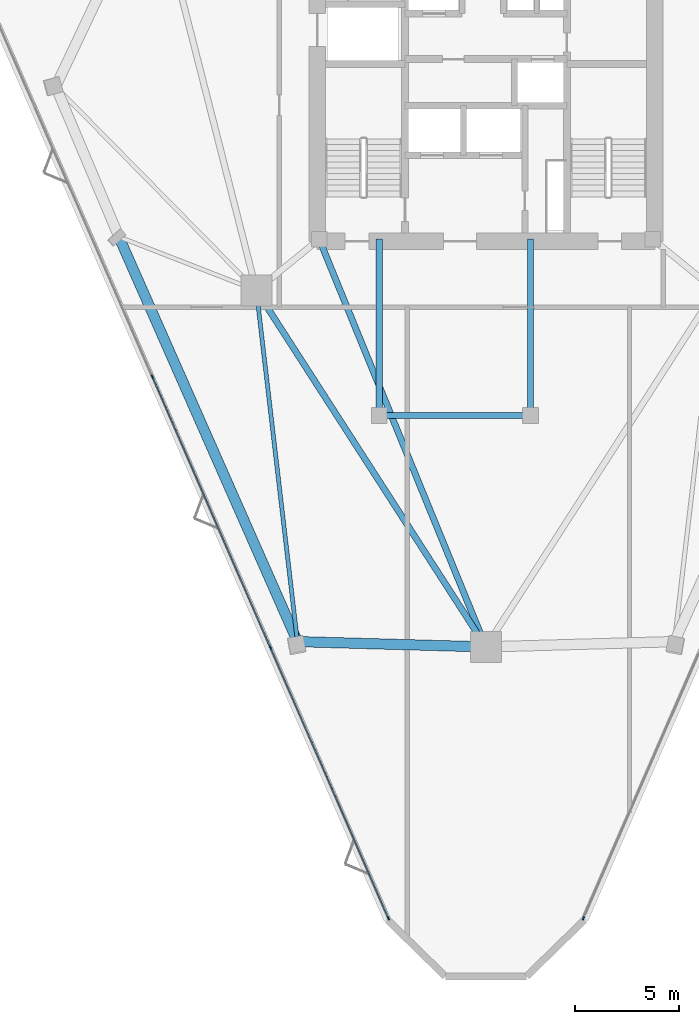
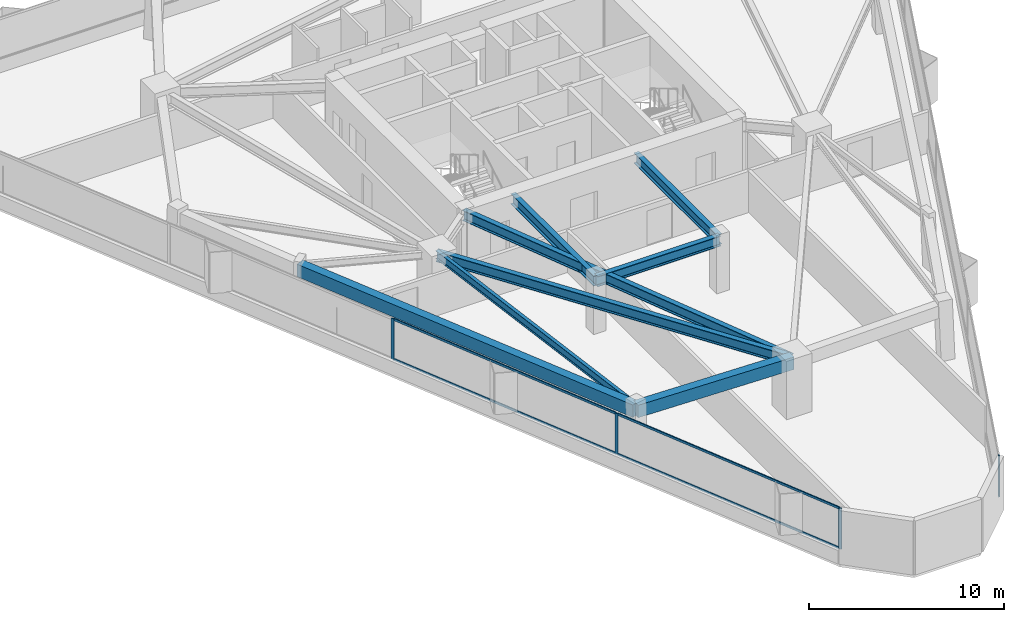
# One storey, part 2 of 11: 8 beams, 8 members, 2 elements without a shape of their own.
"""IFC4 building model written with IfcOpenShell, lengths in metres."""

from ifc_helpers import new_model, si_unit, direction, frame, origin, origin_2d, place, context, subcontext, project, spatial, rectangle, i_section, extrude, material, layer, layer_set, material_profile, profile_set, type_object, element, aggregate, save


model = new_model("IFC4")

# Units and contexts
model_context = context("Model", 3, precision=1e-05, world=origin(), true_north=direction((0.0, 1.0)))
body_context = subcontext(model_context, "Body", "Model", "MODEL_VIEW")
ifc_project = project(units=[si_unit("LENGTHUNIT", "METRE"), si_unit("AREAUNIT", "SQUARE_METRE"), si_unit("VOLUMEUNIT", "CUBIC_METRE"), si_unit("PLANEANGLEUNIT", "RADIAN"), si_unit("MASSUNIT", "GRAM", prefix="KILO")], contexts=[model_context])

# Site, building, storey
site_placement = place(None, origin())
site = spatial("IfcSite", under=ifc_project, at=site_placement, CompositionType="ELEMENT")
building_placement = place(site_placement, origin())
building = spatial("IfcBuilding", under=site, at=building_placement, Name="Talyreon Biosciences Tower", CompositionType="ELEMENT")
storey_placement = place(building_placement, frame((0.0, 0.0, 163.699951171875)))
storey = spatial("IfcBuildingStorey", under=building, at=storey_placement, Name="L43", CompositionType="ELEMENT", Elevation=163.699951171875)

# Curtain wall, members
ifc_material_1 = material(Name="Thermally broken aluminium and low-E glazing", Category="aluminium")
ifc_layer = layer(ifc_material_1, 0.18505859375)
ifc_layer_set = layer_set([ifc_layer], Name="Thermally broken aluminium and low-E glazing")
curtain_wall_type = type_object("IfcCurtainWallType", Name="CurtainWall_Zone3Bioprocess", PredefinedType="NOTDEFINED", material=ifc_layer_set)
curtain_wall_1_placement = place(storey_placement, origin())
curtain_wall_1 = element("IfcCurtainWall", 1, at=curtain_wall_1_placement, inside=storey, type_object=curtain_wall_type, Name="L43 Unitised Curtain Wall FCW-L43-00", PredefinedType="NOTDEFINED")
ifc_material_2 = material(Name="Anodised thermally broken aluminium", Category="aluminium")
ifc_material_profile_1 = material_profile(ifc_material_2, rectangle(XDim=0.06494140625, YDim=0.179931640625, at=origin_2d()), Name="ALUM MULLION 65x180")
ifc_profile_set_1 = profile_set([ifc_material_profile_1], Name="Anodised thermally broken aluminium")
member_type_1 = type_object("IfcMemberType", Name="CWMullion_65x180", PredefinedType="MULLION", material=ifc_profile_set_1)
member_1_placement = place(storey_placement, frame((61.293212890625, 28.556640625, 0.81005859375), z_axis=(0.0, 0.0, 1.0), x_axis=(-0.916731187474, -0.399504605621, 0.0)))
member_1 = element("IfcMember", 2, at=member_1_placement, type_object=member_type_1, Name="CW4 mullion 1", PredefinedType="MULLION", context=body_context, shape_type="SweptSolid", body=[
    extrude(rectangle(XDim=0.06494140625, YDim=0.179931640625, at=origin_2d()), origin(), (0.0, 0.0, 1.0), 2.56494140625),
])
member_2_placement = place(storey_placement, frame((55.599609375, 41.6220703125, 0.81005859375), z_axis=(0.0, 0.0, 1.0), x_axis=(-0.916731187474, -0.399504605621, 0.0)))
member_2 = element("IfcMember", 3, at=member_2_placement, type_object=member_type_1, Name="CW4 mullion 2", PredefinedType="MULLION", context=body_context, shape_type="SweptSolid", body=[
    extrude(rectangle(XDim=0.06494140625, YDim=0.179931640625, at=origin_2d()), origin(), (0.0, 0.0, 1.0), 2.56494140625),
])
member_3_placement = place(storey_placement, frame((49.892822265625, 54.717041015625, 0.81005859375), z_axis=(0.0, 0.0, 1.0), x_axis=(-0.916731187474, -0.399504605621, 0.0)))
member_3 = element("IfcMember", 4, at=member_3_placement, type_object=member_type_1, Name="CW4 mullion 3", PredefinedType="MULLION", context=body_context, shape_type="SweptSolid", body=[
    extrude(rectangle(XDim=0.06494140625, YDim=0.179931640625, at=origin_2d()), origin(), (0.0, 0.0, 1.0), 2.56494140625),
])

# Curtain wall, member
curtain_wall_2_placement = place(storey_placement, origin())
curtain_wall_2 = element("IfcCurtainWall", 5, at=curtain_wall_2_placement, inside=storey, type_object=curtain_wall_type, Name="L43 Unitised Curtain Wall FCW-L43-08", PredefinedType="NOTDEFINED")
member_4_placement = place(storey_placement, frame((70.706787109375, 28.556640625, 0.81005859375), z_axis=(0.0, 0.0, 1.0), x_axis=(0.916731187474, -0.399504605621, 0.0)))
member_4 = element("IfcMember", 6, at=member_4_placement, type_object=member_type_1, Name="CW4 mullion 5", PredefinedType="MULLION", context=body_context, shape_type="SweptSolid", body=[
    extrude(rectangle(XDim=0.06494140625, YDim=0.179931640625, at=origin_2d()), origin(), (0.0, 0.0, 1.0), 2.56494140625),
])
aggregate(curtain_wall_2, [member_4])

# Member
ifc_material_profile_2 = material_profile(ifc_material_2, rectangle(XDim=0.06494140625, YDim=0.139892578125, at=origin_2d()), Name="ALUM TRANSOM 65x140")
ifc_profile_set_2 = profile_set([ifc_material_profile_2], Name="Anodised thermally broken aluminium")
member_type_2 = type_object("IfcMemberType", Name="CWTransom_65x140", PredefinedType="USERDEFINED", material=ifc_profile_set_2)
member_5_placement = place(storey_placement, frame((61.2802734375, 28.58642578125, 0.842529296875), z_axis=(-0.399503101725, 0.916731842859, 0.0), x_axis=(-0.916731842859, -0.399503101725, 0.0)))
member_5 = element("IfcMember", 7, at=member_5_placement, type_object=member_type_2, Name="CW4 transom 1.1", ObjectType="TRANSOM", PredefinedType="USERDEFINED", context=body_context, shape_type="SweptSolid", body=[
    extrude(rectangle(XDim=0.06494140625, YDim=0.139892578125, at=origin_2d()), origin(), (0.0, 0.0, 1.0), 14.18701171875),
])

member_6_placement = place(storey_placement, frame((61.2802734375, 28.58642578125, 3.342529296875), z_axis=(-0.399503101725, 0.916731842859, 0.0), x_axis=(-0.916731842859, -0.399503101725, 0.0)))
member_6 = element("IfcMember", 8, at=member_6_placement, type_object=member_type_2, Name="CW4 transom 1.2", ObjectType="TRANSOM", PredefinedType="USERDEFINED", context=body_context, shape_type="SweptSolid", body=[
    extrude(rectangle(XDim=0.06494140625, YDim=0.139892578125, at=origin_2d()), origin(), (0.0, 0.0, 1.0), 14.18701171875),
])

member_7_placement = place(storey_placement, frame((55.586669921875, 41.65185546875, 0.842529296875), z_axis=(-0.39951512908, 0.916726601357, 0.0), x_axis=(-0.916726601357, -0.39951512908, 0.0)))
member_7 = element("IfcMember", 9, at=member_7_placement, type_object=member_type_2, Name="CW4 transom 2.1", ObjectType="TRANSOM", PredefinedType="USERDEFINED", context=body_context, shape_type="SweptSolid", body=[
    extrude(rectangle(XDim=0.06494140625, YDim=0.139892578125, at=origin_2d()), origin(), (0.0, 0.0, 1.0), 14.219482421875),
])

member_8_placement = place(storey_placement, frame((55.586669921875, 41.65185546875, 3.342529296875), z_axis=(-0.39951512908, 0.916726601357, 0.0), x_axis=(-0.916726601357, -0.39951512908, 0.0)))
member_8 = element("IfcMember", 10, at=member_8_placement, type_object=member_type_2, Name="CW4 transom 2.2", ObjectType="TRANSOM", PredefinedType="USERDEFINED", context=body_context, shape_type="SweptSolid", body=[
    extrude(rectangle(XDim=0.06494140625, YDim=0.139892578125, at=origin_2d()), origin(), (0.0, 0.0, 1.0), 14.219482421875),
])

aggregate(curtain_wall_1, [member_1, member_2, member_3, member_5, member_6, member_7, member_8])

# Beams
ifc_material_3 = material(Name="Precast concrete C45/55", Category="concrete")
ifc_material_profile_3 = material_profile(ifc_material_3, rectangle(XDim=0.5, YDim=0.780029296875, at=origin_2d()), Name="RCB 500x780")
ifc_profile_set_3 = profile_set([ifc_material_profile_3], Name="Precast concrete C45/55")
beam_type_1 = type_object("IfcBeamType", Name="ExpressedSpandrel_500x780", PredefinedType="SPANDREL", material=ifc_profile_set_3)
beam_1_placement = place(storey_placement, frame((48.2763671875, 61.467041015625, 2.985107421875), z_axis=(0.403649210717, -0.914913829105, 0.0), x_axis=(0.914913829105, 0.403649210717, 0.0)))
element("IfcBeam", 11, at=beam_1_placement, inside=storey, type_object=beam_type_1, Name="L43 Expressed Horizontal Concrete Spandrel 11", PredefinedType="SPANDREL", context=body_context, shape_type="SweptSolid", body=[
    extrude(rectangle(XDim=0.5, YDim=0.780029296875, at=origin_2d()), origin(), (0.0, 0.0, 1.0), 21.361572265625),
])
beam_2_placement = place(storey_placement, frame((56.89892578125, 41.923095703125, 2.985107421875), z_axis=(0.999604307387, -0.02812878691, 0.0), x_axis=(0.02812878691, 0.999604307387, 0.0)))
element("IfcBeam", 12, at=beam_2_placement, inside=storey, type_object=beam_type_1, Name="L43 Expressed Horizontal Concrete Spandrel 12", PredefinedType="SPANDREL", context=body_context, shape_type="SweptSolid", body=[
    extrude(rectangle(XDim=0.5, YDim=0.780029296875, at=origin_2d()), origin(), (0.0, 0.0, 1.0), 9.104736328125),
])
ifc_material_4 = material(Name="Steel SM355", Category="steel")
ifc_material_profile_4 = material_profile(ifc_material_4, i_section(OverallWidth=0.300048828125, OverallDepth=0.64990234375, WebThickness=0.01611328125, FlangeThickness=0.031005859375, FilletRadius=0.027099609375, at=origin_2d()), Name="HE650B")
ifc_profile_set_4 = profile_set([ifc_material_profile_4], Name="Steel SM355")
beam_type_2 = type_object("IfcBeamType", Name="SteelBeam_HE650B", PredefinedType="BEAM", material=ifc_profile_set_4)
beam_3_placement = place(storey_placement, frame((54.913818359375, 58.88037109375, 3.050048828125), z_axis=(0.541463723609, -0.840724114092, 0.0), x_axis=(0.840724114092, 0.541463723609, 0.0)))
element("IfcBeam", 13, at=beam_3_placement, inside=storey, type_object=beam_type_2, Name="L43 Mega-Ring Girder 6", PredefinedType="BEAM", context=body_context, shape_type="SweptSolid", body=[
    extrude(i_section(OverallWidth=0.300048828125, OverallDepth=0.64990234375, WebThickness=0.01611328125, FlangeThickness=0.031005859375, FilletRadius=0.027099609375, at=origin_2d()), origin(), (0.0, 0.0, 1.0), 20.474365234375),
])
beam_4_placement = place(storey_placement, frame((57.949951171875, 61.35009765625, 3.050048828125), z_axis=(0.378547014545, -0.925582064314, 0.0), x_axis=(0.925582064314, 0.378547014545, 0.0)))
element("IfcBeam", 14, at=beam_4_placement, inside=storey, type_object=beam_type_2, Name="L43 Radial Primary Girder 1", PredefinedType="BEAM", context=body_context, shape_type="SweptSolid", body=[
    extrude(i_section(OverallWidth=0.300048828125, OverallDepth=0.64990234375, WebThickness=0.01611328125, FlangeThickness=0.031005859375, FilletRadius=0.027099609375, at=origin_2d()), origin(), (0.0, 0.0, 1.0), 21.265625),
])
beam_5_placement = place(storey_placement, frame((60.85009765625, 52.840087890625, 3.050048828125), z_axis=(1.0, 0.0, 0.0), x_axis=(0.0, 1.0, 0.0)))
element("IfcBeam", 15, at=beam_5_placement, inside=storey, type_object=beam_type_2, Name="L43 Crown Shaft Spine Girder S", PredefinedType="BEAM", context=body_context, shape_type="SweptSolid", body=[
    extrude(i_section(OverallWidth=0.300048828125, OverallDepth=0.64990234375, WebThickness=0.01611328125, FlangeThickness=0.031005859375, FilletRadius=0.027099609375, at=origin_2d()), origin(), (0.0, 0.0, 1.0), 7.2998046875),
])
for number, where, z_axis, x_axis, name in (
    (16, (60.85009765625, 52.840087890625, 3.050048828125), (0.0, 1.0, 0.0), (-1.0, 0.0, 0.0), "L43 Crown Shaft Tie Girder W"),
    (17, (68.14990234375, 52.840087890625, 3.050048828125), (0.0, 1.0, 0.0), (-1.0, 0.0, 0.0), "L43 Crown Shaft Tie Girder E"),
):
    element("IfcBeam", number, at=place(storey_placement, frame(where, z_axis=z_axis, x_axis=x_axis)), inside=storey, type_object=beam_type_2, Name=name, PredefinedType="BEAM", context=body_context, shape_type="SweptSolid", body=[
        extrude(i_section(OverallWidth=0.300048828125, OverallDepth=0.64990234375, WebThickness=0.01611328125, FlangeThickness=0.031005859375, FilletRadius=0.027099609375, at=origin_2d()), origin(), (0.0, 0.0, 1.0), 8.510009765625),
    ])
ifc_material_profile_5 = material_profile(ifc_material_4, i_section(OverallWidth=0.199951171875, OverallDepth=0.5, WebThickness=0.01025390625, FlangeThickness=0.01611328125, FilletRadius=0.02099609375, at=origin_2d()), Name="IPE500")
ifc_profile_set_5 = profile_set([ifc_material_profile_5], Name="Steel SM355")
beam_type_3 = type_object("IfcBeamType", Name="SteelJoist_IPE500", PredefinedType="JOIST", material=ifc_profile_set_5)
beam_6_placement = place(storey_placement, frame((54.913818359375, 58.88037109375, 3.125), z_axis=(0.11627123945, -0.993217498274, 0.0), x_axis=(0.993217498274, 0.11627123945, 0.0)))
element("IfcBeam", 18, at=beam_6_placement, inside=storey, type_object=beam_type_3, Name="L43 Radial Composite Floor Joist PC-SW2", PredefinedType="JOIST", context=body_context, shape_type="SweptSolid", body=[
    extrude(i_section(OverallWidth=0.199951171875, OverallDepth=0.5, WebThickness=0.01025390625, FlangeThickness=0.01611328125, FilletRadius=0.02099609375, at=origin_2d()), origin(), (0.0, 0.0, 1.0), 17.072998046875),
])

save(model, "model.ifc")
